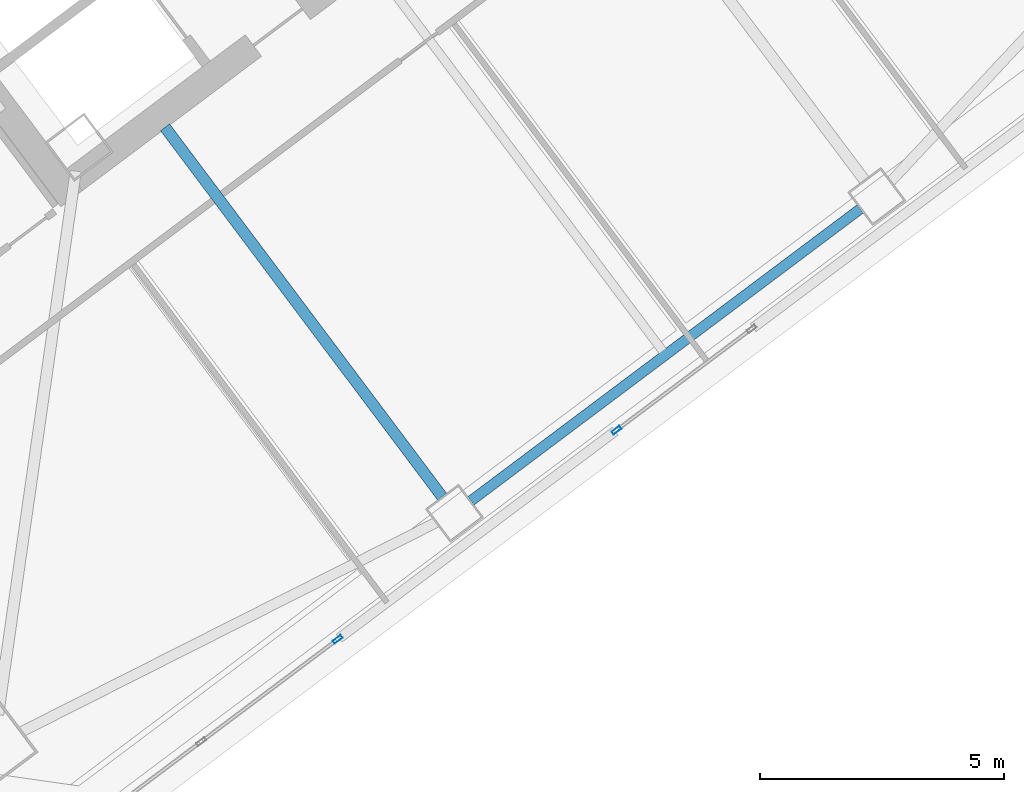
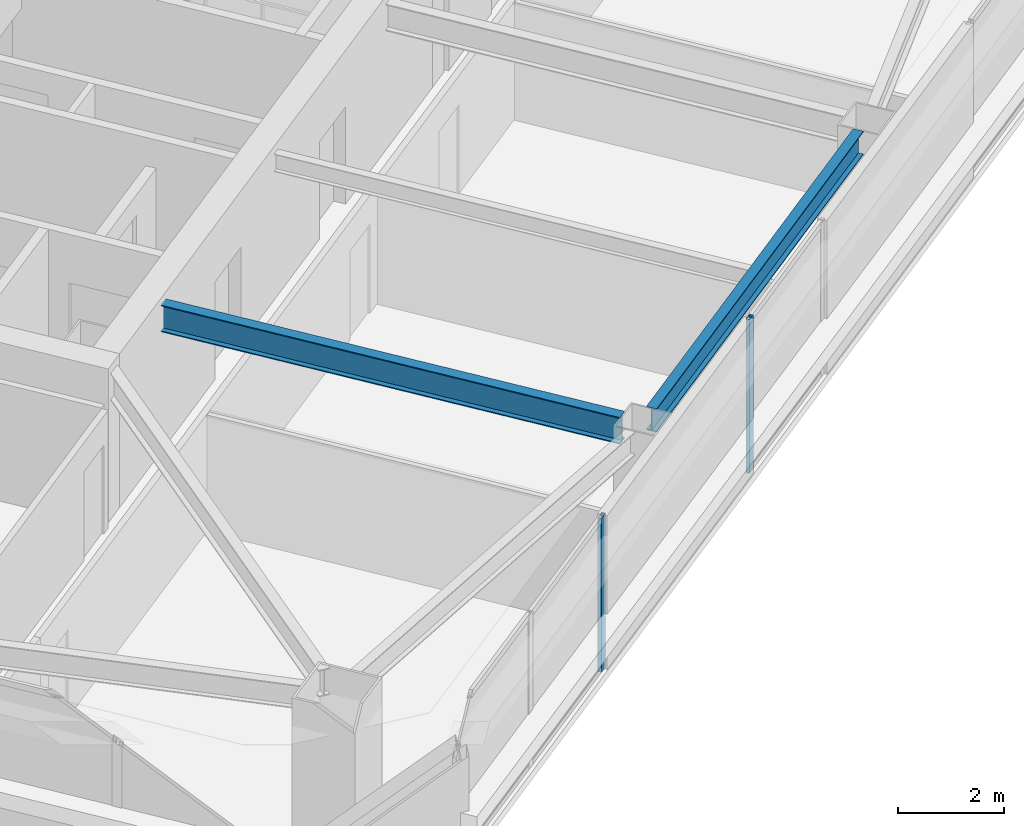
# One storey, part 23 of 44: 2 beams, 2 members, 2 elements without a shape of their own.
"""IFC4 building model written with IfcOpenShell, lengths in metres."""

from ifc_helpers import new_model, si_unit, direction, frame, origin, origin_2d, place, context, subcontext, project, spatial, hollow_rectangle, i_section, extrude, material, material_profile, profile_set, type_object, element, aggregate, save


model = new_model("IFC4")

# Units and contexts
model_context = context("Model", 3, precision=1e-05, world=origin(), true_north=direction((0.0, 1.0)))
body_context = subcontext(model_context, "Body", "Model", "MODEL_VIEW")
ifc_project = project(units=[si_unit("LENGTHUNIT", "METRE"), si_unit("AREAUNIT", "SQUARE_METRE"), si_unit("VOLUMEUNIT", "CUBIC_METRE"), si_unit("PLANEANGLEUNIT", "RADIAN"), si_unit("MASSUNIT", "GRAM", prefix="KILO")], contexts=[model_context])

# Site, building, storey
site_placement = place(None, origin())
site = spatial("IfcSite", under=ifc_project, at=site_placement, CompositionType="ELEMENT")
building_placement = place(site_placement, origin())
building = spatial("IfcBuilding", under=site, at=building_placement, Name="Tashvorn Skyway Center", CompositionType="ELEMENT")
storey_placement = place(building_placement, frame((0.0, 0.0, 128.60009765625)))
storey = spatial("IfcBuildingStorey", under=building, at=storey_placement, Name="L34", CompositionType="ELEMENT", Elevation=128.60009765625)

# Beams
ifc_material_1 = material(Name="Steel ASTM A992 Grade 50", Category="steel")
ifc_material_profile_1 = material_profile(ifc_material_1, i_section(OverallWidth=0.22998046875, OverallDepth=0.616943359375, WebThickness=0.01318359375, FlangeThickness=0.022216796875, at=origin_2d()), Name="W24X94")
ifc_profile_set_1 = profile_set([ifc_material_profile_1], Name="Steel ASTM A992 Grade 50")
beam_type_1 = type_object("IfcBeamType", Name="BM-BEAM-W24X94", PredefinedType="BEAM", material=ifc_profile_set_1)
beam_1_placement = place(storey_placement, frame((120.01806640625, 14.97607421875, 3.0615234375), z_axis=(-0.600020667896, 0.799984498661, 0.0), x_axis=(-0.799984498661, -0.600020667896, 0.0)))
element("IfcBeam", 1, at=beam_1_placement, inside=storey, type_object=beam_type_1, Name="Tower 2 L34 Primary Floor Girder FC-S1", PredefinedType="BEAM", context=body_context, shape_type="SweptSolid", body=[
    extrude(i_section(OverallWidth=0.22998046875, OverallDepth=0.616943359375, WebThickness=0.01318359375, FlangeThickness=0.022216796875, at=origin_2d()), origin(), (0.0, 0.0, 1.0), 9.449951171875),
])
ifc_material_profile_2 = material_profile(ifc_material_1, i_section(OverallWidth=0.2109375, OverallDepth=0.5390625, WebThickness=0.01171875, FlangeThickness=0.018798828125, at=origin_2d()), Name="W21X73")
ifc_profile_set_2 = profile_set([ifc_material_profile_2], Name="Steel ASTM A992 Grade 50")
beam_type_2 = type_object("IfcBeamType", Name="BM-SPANDREL-W21X73", PredefinedType="SPANDREL", material=ifc_profile_set_2)
beam_2_placement = place(storey_placement, frame((120.60595703125, 14.89208984375, 3.100341796875), z_axis=(0.800008824351, 0.599988234018, 0.0), x_axis=(-0.599988234018, 0.800008824351, 0.0)))
element("IfcBeam", 2, at=beam_2_placement, inside=storey, type_object=beam_type_2, Name="Tower 2 L34 Spandrel Beam 02", PredefinedType="SPANDREL", context=body_context, shape_type="SweptSolid", body=[
    extrude(i_section(OverallWidth=0.2109375, OverallDepth=0.5390625, WebThickness=0.01171875, FlangeThickness=0.018798828125, at=origin_2d()), origin(), (0.0, 0.0, 1.0), 9.9599609375),
])

# Curtain wall, member
ifc_material_2 = material(Name="Thermally broken bronze-anodized aluminium 6063-T6", Category="aluminium")
curtain_wall_type = type_object("IfcCurtainWallType", Name="CW-CW-Z3", PredefinedType="NOTDEFINED", material=ifc_material_2)
curtain_wall_1_placement = place(storey_placement, origin())
curtain_wall_1 = element("IfcCurtainWall", 3, at=curtain_wall_1_placement, inside=storey, type_object=curtain_wall_type, Name="Tower 2 L34 South Unitised Curtain Wall Glazing Group 2", PredefinedType="NOTDEFINED")
ifc_material_profile_3 = material_profile(ifc_material_2, hollow_rectangle(XDim=0.074951171875, YDim=0.199951171875, WallThickness=0.00439453125, at=origin_2d()), Name="ALU-MULL-75x200")
ifc_profile_set_3 = profile_set([ifc_material_profile_3], Name="Thermally broken bronze-anodized aluminium 6063-T6")
member_type = type_object("IfcMemberType", Name="CWM-CW-Z3", PredefinedType="MULLION", material=ifc_profile_set_3)
member_1_placement = place(storey_placement, frame((123.58642578125, 16.33984375, 0.0), z_axis=(0.0, 0.0, 1.0), x_axis=(0.600000000002, -0.799999999998, 0.0)))
member_1 = element("IfcMember", 4, at=member_1_placement, type_object=member_type, Name="CW-Z3 mullion 2", PredefinedType="MULLION", context=body_context, shape_type="SweptSolid", body=[
    extrude(hollow_rectangle(XDim=0.074951171875, YDim=0.199951171875, WallThickness=0.00439453125, at=origin_2d()), origin(), (0.0, 0.0, 1.0), 3.5498046875),
])
aggregate(curtain_wall_1, [member_1])

curtain_wall_2_placement = place(storey_placement, origin())
curtain_wall_2 = element("IfcCurtainWall", 5, at=curtain_wall_2_placement, inside=storey, type_object=curtain_wall_type, Name="Tower 2 L34 South Unitised Curtain Wall Glazing Group 3", PredefinedType="NOTDEFINED")
member_2_placement = place(storey_placement, frame((117.880126953125, 12.060302734375, 0.0), z_axis=(0.0, 0.0, 1.0), x_axis=(0.600004533995, -0.799996599484, 0.0)))
member_2 = element("IfcMember", 6, at=member_2_placement, type_object=member_type, Name="CW-Z3 mullion 1", PredefinedType="MULLION", context=body_context, shape_type="SweptSolid", body=[
    extrude(hollow_rectangle(XDim=0.074951171875, YDim=0.199951171875, WallThickness=0.00439453125, at=origin_2d()), origin(), (0.0, 0.0, 1.0), 3.5498046875),
])
aggregate(curtain_wall_2, [member_2])

save(model, "model.ifc")
